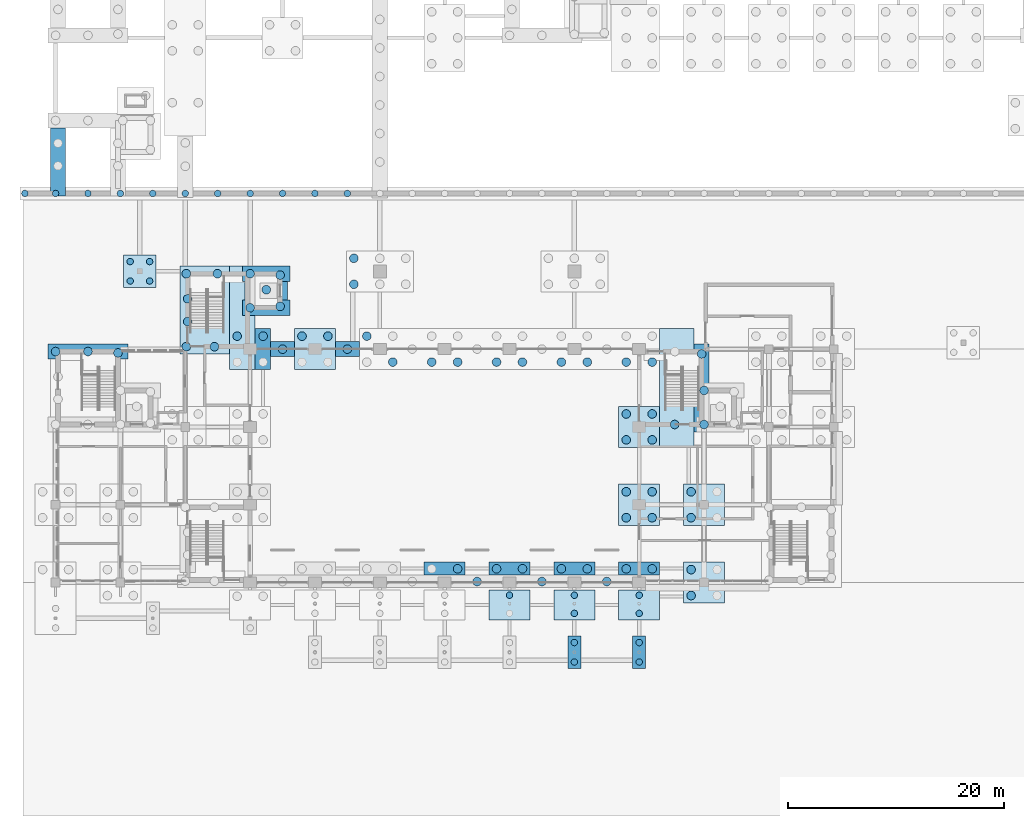
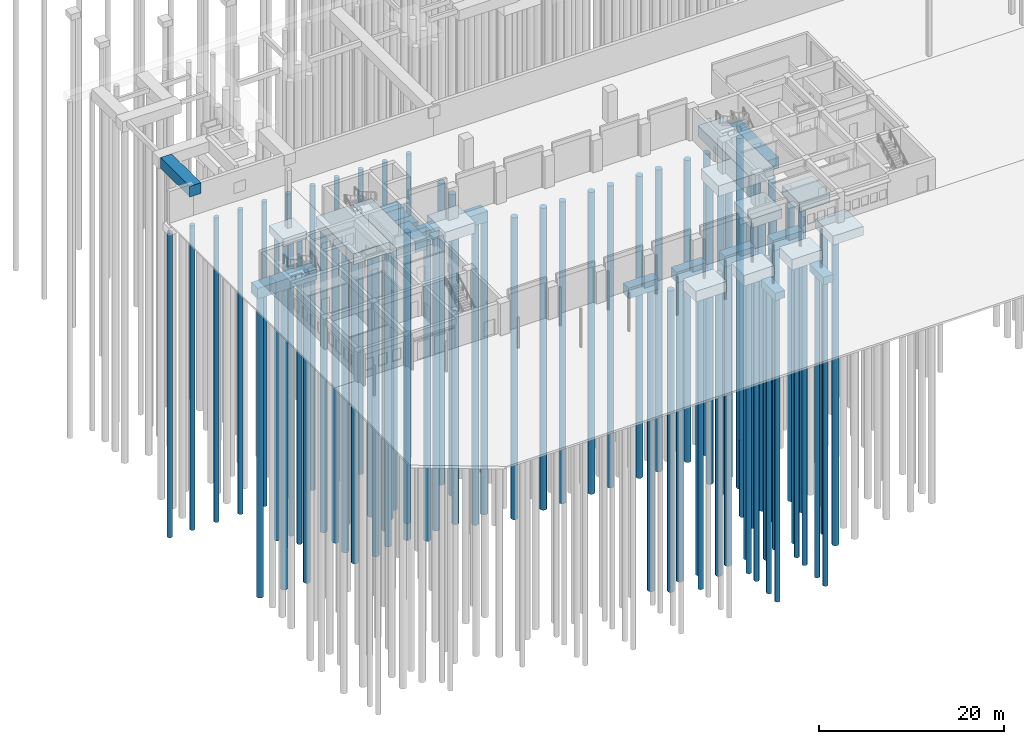
# One storey, part 2 of 37: 82 piles, 27 footings.
"""IFC4 building model written with IfcOpenShell, lengths in metres."""

from ifc_helpers import new_model, si_unit, direction, frame, origin, origin_2d, place, context, subcontext, project, spatial, polyline, circle, outline, extrude, material, layer, layer_set, material_profile, profile_set, type_object, element, save


model = new_model("IFC4")

# Units and contexts
model_context = context("Model", 3, precision=1e-05, world=origin(), true_north=direction((0.0, 1.0)))
body_context = subcontext(model_context, "Body", "Model", "MODEL_VIEW")
ifc_project = project(units=[si_unit("LENGTHUNIT", "METRE"), si_unit("AREAUNIT", "SQUARE_METRE"), si_unit("VOLUMEUNIT", "CUBIC_METRE"), si_unit("PLANEANGLEUNIT", "RADIAN"), si_unit("MASSUNIT", "GRAM", prefix="KILO")], contexts=[model_context])

# Site, building, storey
site_placement = place(None, origin())
site = spatial("IfcSite", under=ifc_project, at=site_placement, CompositionType="ELEMENT")
building_placement = place(site_placement, origin())
building = spatial("IfcBuilding", under=site, at=building_placement, Name="Laocheng Heights Fire and Rescue Headquarters", CompositionType="ELEMENT")
storey_placement = place(building_placement, origin())
storey = spatial("IfcBuildingStorey", under=building, at=storey_placement, Name="L00", CompositionType="ELEMENT", Elevation=0.0)

# Piles
ifc_material_1 = material(Name="Concrete C35", Category="concrete")
ifc_material_profile_1 = material_profile(ifc_material_1, circle(Radius=0.300048828125, at=origin_2d()), Name="BORED PILE D600")
ifc_profile_set_1 = profile_set([ifc_material_profile_1], Name="Concrete C35")
pile_type_1 = type_object("IfcPileType", Name="BORED PILE D600", PredefinedType="BORED", material=ifc_profile_set_1)
for number, where, z_axis, x_axis, name in (
    (1, (48.0, -7.35009765625, -1.37890625), (0.0, 0.0, -1.0), (1.0, 0.0, 0.0), "Bored pile D600"),
    (2, (48.0, -5.550048828125, -1.37890625), (0.0, 0.0, -1.0), (1.0, 0.0, 0.0), "Bored pile D600"),
    (3, (54.0, -7.35009765625, -1.37890625), (0.0, 0.0, -1.0), (1.0, 0.0, 0.0), "Bored pile D600"),
    (4, (54.0, -5.550048828125, -1.37890625), (0.0, 0.0, -1.0), (1.0, 0.0, 0.0), "Bored pile D600"),
):
    element("IfcPile", number, at=place(storey_placement, frame(where, z_axis=z_axis, x_axis=x_axis)), inside=storey, type_object=pile_type_1, Name=name, PredefinedType="BORED", context=body_context, shape_type="SweptSolid", body=[
        extrude(circle(Radius=0.300048828125, at=origin_2d()), origin(), (0.0, 0.0, 1.0), 40.12109375),
    ])
for number, where, z_axis, x_axis, name in (
    (5, (42.0, -1.169921875, -1.68896484375), (0.0, 0.0, -1.0), (1.0, 0.0, 0.0), "Bored pile D600"),
    (6, (48.0, -2.85009765625, -1.68896484375), (0.0, 0.0, -1.0), (1.0, 0.0, 0.0), "Bored pile D600"),
    (7, (48.0, -1.169921875, -1.68896484375), (0.0, 0.0, -1.0), (1.0, 0.0, 0.0), "Bored pile D600"),
    (8, (54.0, -2.85009765625, -1.68896484375), (0.0, 0.0, -1.0), (1.0, 0.0, 0.0), "Bored pile D600"),
    (9, (54.0, -1.169921875, -1.68896484375), (0.0, 0.0, -1.0), (1.0, 0.0, 0.0), "Bored pile D600"),
):
    element("IfcPile", number, at=place(storey_placement, frame(where, z_axis=z_axis, x_axis=x_axis)), inside=storey, type_object=pile_type_1, Name=name, PredefinedType="BORED", context=body_context, shape_type="SweptSolid", body=[
        extrude(circle(Radius=0.300048828125, at=origin_2d()), origin(), (0.0, 0.0, 1.0), 39.81103515625),
    ])
for number, where, z_axis, x_axis, name in (
    (10, (6.89990234375, 27.89990234375, -1.199951171875), (0.0, 0.0, -1.0), (1.0, 0.0, 0.0), "Bored pile D600"),
    (11, (8.699951171875, 27.89990234375, -1.199951171875), (0.0, 0.0, -1.0), (1.0, 0.0, 0.0), "Bored pile D600"),
    (12, (6.89990234375, 29.699951171875, -1.199951171875), (0.0, 0.0, -1.0), (1.0, 0.0, 0.0), "Bored pile D600"),
    (13, (8.699951171875, 29.699951171875, -1.199951171875), (0.0, 0.0, -1.0), (1.0, 0.0, 0.0), "Bored pile D600"),
):
    element("IfcPile", number, at=place(storey_placement, frame(where, z_axis=z_axis, x_axis=x_axis)), inside=storey, type_object=pile_type_1, Name=name, PredefinedType="BORED", context=body_context, shape_type="SweptSolid", body=[
        extrude(circle(Radius=0.300048828125, at=origin_2d()), origin(), (0.0, 0.0, 1.0), 40.300048828125),
    ])
for number, where, z_axis, x_axis, name in (
    (14, (-2.830078125, 36.0, -1.300048828125), (0.0, 0.0, -1.0), (1.0, 0.0, 0.0), "Bored pile D600"),
    (15, (0.0, 36.0, -1.300048828125), (0.0, 0.0, -1.0), (1.0, 0.0, 0.0), "Bored pile D600"),
    (16, (3.0, 36.0, -1.300048828125), (0.0, 0.0, -1.0), (1.0, 0.0, 0.0), "Bored pile D600"),
    (17, (6.0, 36.0, -1.300048828125), (0.0, 0.0, -1.0), (1.0, 0.0, 0.0), "Bored pile D600"),
    (18, (9.0, 36.0, -1.300048828125), (0.0, 0.0, -1.0), (1.0, 0.0, 0.0), "Bored pile D600"),
    (19, (12.0, 36.0, -1.300048828125), (0.0, 0.0, -1.0), (1.0, 0.0, 0.0), "Bored pile D600"),
    (20, (15.0, 36.0, -1.300048828125), (0.0, 0.0, -1.0), (1.0, 0.0, 0.0), "Bored pile D600"),
    (21, (18.0, 36.0, -1.300048828125), (0.0, 0.0, -1.0), (1.0, 0.0, 0.0), "Bored pile D600"),
    (22, (21.0, 36.0, -1.300048828125), (0.0, 0.0, -1.0), (1.0, 0.0, 0.0), "Bored pile D600"),
    (23, (24.0, 36.0, -1.300048828125), (0.0, 0.0, -1.0), (1.0, 0.0, 0.0), "Bored pile D600"),
    (24, (27.0, 36.0, -1.300048828125), (0.0, 0.0, -1.0), (1.0, 0.0, 0.0), "Bored pile D600"),
):
    element("IfcPile", number, at=place(storey_placement, frame(where, z_axis=z_axis, x_axis=x_axis)), inside=storey, type_object=pile_type_1, Name=name, PredefinedType="BORED", context=body_context, shape_type="SweptSolid", body=[
        extrude(circle(Radius=0.300048828125, at=origin_2d()), origin(), (0.0, 0.0, 1.0), 40.199951171875),
    ])
ifc_material_2 = material(Name="Concrete C35", Category="concrete")
ifc_material_profile_2 = material_profile(ifc_material_2, circle(Radius=0.39990234375, at=origin_2d()), Name="BORED PILE D800")
ifc_profile_set_2 = profile_set([ifc_material_profile_2], Name="Concrete C35")
pile_type_2 = type_object("IfcPileType", Name="BORED PILE D800", PredefinedType="BORED", material=ifc_profile_set_2)
for number, where, z_axis, x_axis, name in (
    (25, (58.800048828125, -1.199951171875, -1.449951171875), (0.0, 0.0, -1.0), (1.0, 0.0, 0.0), "Bored pile D800"),
    (26, (58.800048828125, 1.199951171875, -1.449951171875), (0.0, 0.0, -1.0), (1.0, 0.0, 0.0), "Bored pile D800"),
):
    element("IfcPile", number, at=place(storey_placement, frame(where, z_axis=z_axis, x_axis=x_axis)), inside=storey, type_object=pile_type_2, Name=name, PredefinedType="BORED", context=body_context, shape_type="SweptSolid", body=[
        extrude(circle(Radius=0.39990234375, at=origin_2d()), origin(), (0.0, 0.0, 1.0), 40.050048828125),
    ])
for number, where, z_axis, x_axis, name in (
    (27, (39.0, 0.094970703125, -1.68896484375), (0.0, 0.0, -1.0), (1.0, 0.0, 0.0), "Bored pile D800"),
    (28, (45.0, 0.094970703125, -1.68896484375), (0.0, 0.0, -1.0), (1.0, 0.0, 0.0), "Bored pile D800"),
    (29, (51.0, 0.094970703125, -1.68896484375), (0.0, 0.0, -1.0), (1.0, 0.0, 0.0), "Bored pile D800"),
    (30, (37.199951171875, 1.27001953125, -1.68896484375), (0.0, 0.0, -1.0), (1.0, 0.0, 0.0), "Bored pile D800"),
    (31, (40.800048828125, 1.27001953125, -1.68896484375), (0.0, 0.0, -1.0), (1.0, 0.0, 0.0), "Bored pile D800"),
    (32, (43.199951171875, 1.27001953125, -1.68896484375), (0.0, 0.0, -1.0), (1.0, 0.0, 0.0), "Bored pile D800"),
    (33, (46.800048828125, 1.27001953125, -1.68896484375), (0.0, 0.0, -1.0), (1.0, 0.0, 0.0), "Bored pile D800"),
    (34, (49.199951171875, 1.27001953125, -1.68896484375), (0.0, 0.0, -1.0), (1.0, 0.0, 0.0), "Bored pile D800"),
    (35, (52.800048828125, 1.27001953125, -1.68896484375), (0.0, 0.0, -1.0), (1.0, 0.0, 0.0), "Bored pile D800"),
    (36, (55.199951171875, 1.27001953125, -1.68896484375), (0.0, 0.0, -1.0), (1.0, 0.0, 0.0), "Bored pile D800"),
):
    element("IfcPile", number, at=place(storey_placement, frame(where, z_axis=z_axis, x_axis=x_axis)), inside=storey, type_object=pile_type_2, Name=name, PredefinedType="BORED", context=body_context, shape_type="SweptSolid", body=[
        extrude(circle(Radius=0.39990234375, at=origin_2d()), origin(), (0.0, 0.0, 1.0), 39.81103515625),
    ])
for number, where, z_axis, x_axis, name in (
    (37, (52.800048828125, 6.0, -1.449951171875), (0.0, 0.0, -1.0), (1.0, 0.0, 0.0), "Bored pile D800"),
    (38, (55.199951171875, 6.0, -1.449951171875), (0.0, 0.0, -1.0), (1.0, 0.0, 0.0), "Bored pile D800"),
    (39, (52.800048828125, 8.39990234375, -1.449951171875), (0.0, 0.0, -1.0), (1.0, 0.0, 0.0), "Bored pile D800"),
    (40, (55.199951171875, 8.39990234375, -1.449951171875), (0.0, 0.0, -1.0), (1.0, 0.0, 0.0), "Bored pile D800"),
    (41, (58.800048828125, 6.0, -1.449951171875), (0.0, 0.0, -1.0), (1.0, 0.0, 0.0), "Bored pile D800"),
    (42, (58.800048828125, 8.39990234375, -1.449951171875), (0.0, 0.0, -1.0), (1.0, 0.0, 0.0), "Bored pile D800"),
):
    element("IfcPile", number, at=place(storey_placement, frame(where, z_axis=z_axis, x_axis=x_axis)), inside=storey, type_object=pile_type_2, Name=name, PredefinedType="BORED", context=body_context, shape_type="SweptSolid", body=[
        extrude(circle(Radius=0.39990234375, at=origin_2d()), origin(), (0.0, 0.0, 1.0), 40.050048828125),
    ])
for number, where, z_axis, x_axis, name in (
    (43, (52.800048828125, 13.199951171875, -1.64990234375), (0.0, 0.0, -1.0), (1.0, 0.0, 0.0), "Bored pile D800"),
    (44, (55.199951171875, 13.199951171875, -1.64990234375), (0.0, 0.0, -1.0), (1.0, 0.0, 0.0), "Bored pile D800"),
    (45, (52.800048828125, 15.60009765625, -1.64990234375), (0.0, 0.0, -1.0), (1.0, 0.0, 0.0), "Bored pile D800"),
    (46, (55.199951171875, 15.60009765625, -1.64990234375), (0.0, 0.0, -1.0), (1.0, 0.0, 0.0), "Bored pile D800"),
):
    element("IfcPile", number, at=place(storey_placement, frame(where, z_axis=z_axis, x_axis=x_axis)), inside=storey, type_object=pile_type_2, Name=name, PredefinedType="BORED", context=body_context, shape_type="SweptSolid", body=[
        extrude(circle(Radius=0.39990234375, at=origin_2d()), origin(), (0.0, 0.0, 1.0), 39.85009765625),
    ])
for number, where, z_axis, x_axis, name in (
    (47, (60.0, 14.625, -3.10009765625), (0.0, 0.0, -1.0), (1.0, 0.0, 0.0), "Bored pile D800"),
    (48, (60.0, 17.77490234375, -3.10009765625), (0.0, 0.0, -1.0), (1.0, 0.0, 0.0), "Bored pile D800"),
):
    element("IfcPile", number, at=place(storey_placement, frame(where, z_axis=z_axis, x_axis=x_axis)), inside=storey, type_object=pile_type_2, Name=name, PredefinedType="BORED", context=body_context, shape_type="SweptSolid", body=[
        extrude(circle(Radius=0.39990234375, at=origin_2d()), origin(), (0.0, 0.0, 1.0), 38.39990234375),
    ])
for number, where, z_axis, x_axis, name in (
    (49, (57.27490234375, 14.625, -1.64990234375), (0.0, 0.0, -1.0), (1.0, 0.0, 0.0), "Bored pile D800"),
    (50, (59.77490234375, 21.14990234375, -1.64990234375), (0.0, 0.0, -1.0), (1.0, 0.0, 0.0), "Bored pile D800"),
    (51, (5.77490234375, 21.2451171875, -1.64990234375), (0.0, 0.0, -1.0), (1.0, 0.0, 0.0), "Bored pile D800"),
    (52, (0.0, 21.375, -1.64990234375), (0.0, 0.0, -1.0), (1.0, 0.0, 0.0), "Bored pile D800"),
    (53, (3.0, 21.375, -1.64990234375), (0.0, 0.0, -1.0), (1.0, 0.0, 0.0), "Bored pile D800"),
    (54, (19.199951171875, 22.800048828125, -1.64990234375), (0.0, 0.0, -1.0), (1.0, 0.0, 0.0), "Bored pile D800"),
    (55, (21.0, 21.60009765625, -1.64990234375), (0.0, 0.0, -1.0), (1.0, 0.0, 0.0), "Bored pile D800"),
    (56, (22.800048828125, 22.800048828125, -1.64990234375), (0.0, 0.0, -1.0), (1.0, 0.0, 0.0), "Bored pile D800"),
    (57, (25.199951171875, 22.800048828125, -1.64990234375), (0.0, 0.0, -1.0), (1.0, 0.0, 0.0), "Bored pile D800"),
    (58, (27.0, 21.60009765625, -1.64990234375), (0.0, 0.0, -1.0), (1.0, 0.0, 0.0), "Bored pile D800"),
    (59, (31.199951171875, 20.39990234375, -1.64990234375), (0.0, 0.0, -1.0), (1.0, 0.0, 0.0), "Bored pile D800"),
    (60, (28.800048828125, 22.800048828125, -1.64990234375), (0.0, 0.0, -1.0), (1.0, 0.0, 0.0), "Bored pile D800"),
    (61, (34.800048828125, 20.39990234375, -1.64990234375), (0.0, 0.0, -1.0), (1.0, 0.0, 0.0), "Bored pile D800"),
    (62, (37.199951171875, 20.39990234375, -1.64990234375), (0.0, 0.0, -1.0), (1.0, 0.0, 0.0), "Bored pile D800"),
    (63, (40.800048828125, 20.39990234375, -1.64990234375), (0.0, 0.0, -1.0), (1.0, 0.0, 0.0), "Bored pile D800"),
    (64, (43.199951171875, 20.39990234375, -1.64990234375), (0.0, 0.0, -1.0), (1.0, 0.0, 0.0), "Bored pile D800"),
    (65, (46.800048828125, 20.39990234375, -1.64990234375), (0.0, 0.0, -1.0), (1.0, 0.0, 0.0), "Bored pile D800"),
    (66, (49.199951171875, 20.39990234375, -1.64990234375), (0.0, 0.0, -1.0), (1.0, 0.0, 0.0), "Bored pile D800"),
    (67, (52.800048828125, 20.39990234375, -1.64990234375), (0.0, 0.0, -1.0), (1.0, 0.0, 0.0), "Bored pile D800"),
    (68, (55.199951171875, 20.39990234375, -1.64990234375), (0.0, 0.0, -1.0), (1.0, 0.0, 0.0), "Bored pile D800"),
    (69, (16.800048828125, 22.800048828125, -1.64990234375), (0.0, 0.0, -1.0), (1.0, 0.0, 0.0), "Bored pile D800"),
    (70, (12.094970703125, 28.574951171875, -1.64990234375), (0.0, 0.0, -1.0), (1.0, 0.0, 0.0), "Bored pile D800"),
    (71, (14.97509765625, 28.574951171875, -1.64990234375), (0.0, 0.0, -1.0), (1.0, 0.0, 0.0), "Bored pile D800"),
    (72, (12.094970703125, 21.824951171875, -1.64990234375), (0.0, 0.0, -1.0), (1.0, 0.0, 0.0), "Bored pile D800"),
    (73, (14.699951171875, 21.824951171875, -1.64990234375), (0.0, 0.0, -1.0), (1.0, 0.0, 0.0), "Bored pile D800"),
    (74, (12.22509765625, 24.14990234375, -1.64990234375), (0.0, 0.0, -1.0), (1.0, 0.0, 0.0), "Bored pile D800"),
    (75, (12.22509765625, 26.25, -1.64990234375), (0.0, 0.0, -1.0), (1.0, 0.0, 0.0), "Bored pile D800"),
):
    element("IfcPile", number, at=place(storey_placement, frame(where, z_axis=z_axis, x_axis=x_axis)), inside=storey, type_object=pile_type_2, Name=name, PredefinedType="BORED", context=body_context, shape_type="SweptSolid", body=[
        extrude(circle(Radius=0.39990234375, at=origin_2d()), origin(), (0.0, 0.0, 1.0), 39.85009765625),
    ])
for number, where, z_axis, x_axis, name in (
    (76, (20.77490234375, 25.554931640625, -3.10009765625), (0.0, 0.0, -1.0), (1.0, 0.0, 0.0), "Bored pile D800"),
    (77, (18.0, 25.425048828125, -3.10009765625), (0.0, 0.0, -1.0), (1.0, 0.0, 0.0), "Bored pile D800"),
    (78, (19.4951171875, 27.094970703125, -3.10009765625), (0.0, 0.0, -1.0), (1.0, 0.0, 0.0), "Bored pile D800"),
    (79, (20.77490234375, 28.445068359375, -3.10009765625), (0.0, 0.0, -1.0), (1.0, 0.0, 0.0), "Bored pile D800"),
    (80, (18.0, 28.574951171875, -3.10009765625), (0.0, 0.0, -1.0), (1.0, 0.0, 0.0), "Bored pile D800"),
):
    element("IfcPile", number, at=place(storey_placement, frame(where, z_axis=z_axis, x_axis=x_axis)), inside=storey, type_object=pile_type_2, Name=name, PredefinedType="BORED", context=body_context, shape_type="SweptSolid", body=[
        extrude(circle(Radius=0.39990234375, at=origin_2d()), origin(), (0.0, 0.0, 1.0), 38.39990234375),
    ])
for number, where, z_axis, x_axis, name in (
    (81, (27.60009765625, 27.60009765625, -1.699951171875), (0.0, 0.0, -1.0), (1.0, 0.0, 0.0), "Bored pile D800"),
    (82, (27.60009765625, 30.0, -1.699951171875), (0.0, 0.0, -1.0), (1.0, 0.0, 0.0), "Bored pile D800"),
):
    element("IfcPile", number, at=place(storey_placement, frame(where, z_axis=z_axis, x_axis=x_axis)), inside=storey, type_object=pile_type_2, Name=name, PredefinedType="BORED", context=body_context, shape_type="SweptSolid", body=[
        extrude(circle(Radius=0.39990234375, at=origin_2d()), origin(), (0.0, 0.0, 1.0), 39.800048828125),
    ])

# Footings
ifc_material_3 = material(Name="Concrete C40", Category="concrete")
ifc_layer_1 = layer(ifc_material_3, 1.0)
ifc_layer_set_1 = layer_set([ifc_layer_1], Name="Concrete C40")
footing_type_1 = type_object("IfcFootingType", Name="RC PILE CAP 1200x3000x1000 ON 2 D600 PILES", PredefinedType="PILE_CAP", material=ifc_layer_set_1)
footing_1_placement = place(storey_placement, frame((0.0, 0.0, -1.37890625)))
element("IfcFooting", 83, at=footing_1_placement, inside=storey, type_object=footing_type_1, Name="Pile cap", PredefinedType="PILE_CAP", context=body_context, shape_type="SweptSolid", body=[
    extrude(outline(polyline([(48.60009765625, -7.949951171875), (48.60009765625, -4.949951171875), (47.39990234375, -4.949951171875), (47.39990234375, -7.949951171875), (48.60009765625, -7.949951171875)])), origin(), (0.0, 0.0, 1.0), 1.0),
])
footing_2_placement = place(storey_placement, frame((0.0, 0.0, -1.37890625)))
element("IfcFooting", 84, at=footing_2_placement, inside=storey, type_object=footing_type_1, Name="Pile cap", PredefinedType="PILE_CAP", context=body_context, shape_type="SweptSolid", body=[
    extrude(outline(polyline([(54.60009765625, -7.949951171875), (54.60009765625, -4.949951171875), (53.39990234375, -4.949951171875), (53.39990234375, -7.949951171875), (54.60009765625, -7.949951171875)])), origin(), (0.0, 0.0, 1.0), 1.0),
])
ifc_material_4 = material(Name="Concrete C40", Category="concrete")
ifc_layer_2 = layer(ifc_material_4, 1.39990234375)
ifc_layer_set_2 = layer_set([ifc_layer_2], Name="Concrete C40")
footing_type_2 = type_object("IfcFootingType", Name="RC PILE CAP 1400x6300x1400 ON 2 D800 PILES", PredefinedType="PILE_CAP", material=ifc_layer_set_2)
footing_3_placement = place(storey_placement, frame((0.0, 0.0, 2.60009765625)))
element("IfcFooting", 85, at=footing_3_placement, inside=storey, type_object=footing_type_2, Name="Pile cap", PredefinedType="PILE_CAP", context=body_context, shape_type="SweptSolid", body=[
    extrude(outline(polyline([(0.925048828125, 35.75), (0.925048828125, 42.050048828125), (-0.47509765625, 42.050048828125), (-0.47509765625, 35.75), (0.925048828125, 35.75)])), origin(), (0.0, 0.0, 1.0), 1.39990234375),
])
ifc_material_5 = material(Name="Concrete C40", Category="concrete")
ifc_layer_3 = layer(ifc_material_5, 1.39990234375)
ifc_layer_set_3 = layer_set([ifc_layer_3], Name="Concrete C40")
footing_type_3 = type_object("IfcFootingType", Name="RC PILE CAP 1400x8150x1400 ON 1 D800 PILES", PredefinedType="PILE_CAP", material=ifc_layer_set_3)
footing_4_placement = place(storey_placement, frame((0.0, 0.0, -1.64990234375)))
element("IfcFooting", 86, at=footing_4_placement, inside=storey, type_object=footing_type_3, Name="Pile cap", PredefinedType="PILE_CAP", context=body_context, shape_type="SweptSolid", body=[
    extrude(outline(polyline([(60.47509765625, 13.925048828125), (60.47509765625, 22.074951171875), (59.074951171875, 22.074951171875), (59.074951171875, 13.925048828125), (60.47509765625, 13.925048828125)])), origin(), (0.0, 0.0, 1.0), 1.39990234375),
])
ifc_material_6 = material(Name="Concrete C40", Category="concrete")
ifc_layer_4 = layer(ifc_material_6, 1.39990234375)
ifc_layer_set_4 = layer_set([ifc_layer_4], Name="Concrete C40")
footing_type_4 = type_object("IfcFootingType", Name="RC PILE CAP 1425x3800x1400 ON 2 D800 PILES", PredefinedType="PILE_CAP", material=ifc_layer_set_4)
footing_5_placement = place(storey_placement, frame((0.0, 0.0, -1.64990234375)))
element("IfcFooting", 87, at=footing_5_placement, inside=storey, type_object=footing_type_4, Name="Pile cap", PredefinedType="PILE_CAP", context=body_context, shape_type="SweptSolid", body=[
    extrude(outline(polyline([(19.89990234375, 19.699951171875), (19.89990234375, 23.5), (18.47509765625, 23.5), (18.47509765625, 19.699951171875), (19.89990234375, 19.699951171875)])), origin(), (0.0, 0.0, 1.0), 1.39990234375),
])
ifc_material_7 = material(Name="Concrete C40", Category="concrete")
ifc_layer_5 = layer(ifc_material_7, 1.39990234375)
ifc_layer_set_5 = layer_set([ifc_layer_5], Name="Concrete C40")
footing_type_5 = type_object("IfcFootingType", Name="RC PILE CAP 2200x1400x1400 ON 1 D800 PILES", PredefinedType="PILE_CAP", material=ifc_layer_set_5)
footing_6_placement = place(storey_placement, frame((0.0, 0.0, -1.64990234375)))
element("IfcFooting", 88, at=footing_6_placement, inside=storey, type_object=footing_type_5, Name="Pile cap", PredefinedType="PILE_CAP", context=body_context, shape_type="SweptSolid", body=[
    extrude(outline(polyline([(22.10009765625, 20.89990234375), (22.10009765625, 22.300048828125), (19.89990234375, 22.300048828125), (19.89990234375, 20.89990234375), (22.10009765625, 20.89990234375)])), origin(), (0.0, 0.0, 1.0), 1.39990234375),
])
footing_7_placement = place(storey_placement, frame((0.0, 0.0, -1.64990234375)))
element("IfcFooting", 89, at=footing_7_placement, inside=storey, type_object=footing_type_5, Name="Pile cap", PredefinedType="PILE_CAP", context=body_context, shape_type="SweptSolid", body=[
    extrude(outline(polyline([(28.10009765625, 20.89990234375), (28.10009765625, 22.300048828125), (25.89990234375, 22.300048828125), (25.89990234375, 20.89990234375), (28.10009765625, 20.89990234375)])), origin(), (0.0, 0.0, 1.0), 1.39990234375),
])
ifc_material_8 = material(Name="Concrete C40", Category="concrete")
ifc_layer_6 = layer(ifc_material_8, 1.39990234375)
ifc_layer_set_6 = layer_set([ifc_layer_6], Name="Concrete C40")
footing_type_6 = type_object("IfcFootingType", Name="RC PILE CAP 2375x9575x1400 ON 2 D800 PILES", PredefinedType="PILE_CAP", material=ifc_layer_set_6)
footing_8_placement = place(storey_placement, frame((0.0, 0.0, -1.64990234375)))
element("IfcFooting", 90, at=footing_8_placement, inside=storey, type_object=footing_type_6, Name="Pile cap", PredefinedType="PILE_CAP", context=body_context, shape_type="SweptSolid", body=[
    extrude(outline(polyline([(18.47509765625, 19.699951171875), (18.47509765625, 29.27490234375), (16.10009765625, 29.27490234375), (16.10009765625, 19.699951171875), (18.47509765625, 19.699951171875)])), origin(), (0.0, 0.0, 1.0), 1.39990234375),
])
ifc_material_9 = material(Name="Concrete C40", Category="concrete")
ifc_layer_7 = layer(ifc_material_9, 1.0)
ifc_layer_set_7 = layer_set([ifc_layer_7], Name="Concrete C40")
footing_type_7 = type_object("IfcFootingType", Name="RC PILE CAP 3000x3000x1000 ON 4 D600 PILES", PredefinedType="PILE_CAP", material=ifc_layer_set_7)
footing_9_placement = place(storey_placement, frame((0.0, 0.0, -1.199951171875)))
element("IfcFooting", 91, at=footing_9_placement, inside=storey, type_object=footing_type_7, Name="Pile cap", PredefinedType="PILE_CAP", context=body_context, shape_type="SweptSolid", body=[
    extrude(outline(polyline([(9.300048828125, 27.300048828125), (9.300048828125, 30.300048828125), (6.300048828125, 30.300048828125), (6.300048828125, 27.300048828125), (9.300048828125, 27.300048828125)])), origin(), (0.0, 0.0, 1.0), 1.0),
])
ifc_material_10 = material(Name="Concrete C40", Category="concrete")
ifc_layer_8 = layer(ifc_material_10, 1.39990234375)
ifc_layer_set_8 = layer_set([ifc_layer_8], Name="Concrete C40")
footing_type_8 = type_object("IfcFootingType", Name="RC PILE CAP 3175x11000x1400 ON 2 D800 PILES", PredefinedType="PILE_CAP", material=ifc_layer_set_8)
footing_10_placement = place(storey_placement, frame((0.0, 0.0, -1.64990234375)))
element("IfcFooting", 92, at=footing_10_placement, inside=storey, type_object=footing_type_8, Name="Pile cap", PredefinedType="PILE_CAP", context=body_context, shape_type="SweptSolid", body=[
    extrude(outline(polyline([(59.074951171875, 12.5), (59.074951171875, 23.5), (55.89990234375, 23.5), (55.89990234375, 12.5), (59.074951171875, 12.5)])), origin(), (0.0, 0.0, 1.0), 1.39990234375),
])
ifc_material_11 = material(Name="Concrete C40", Category="concrete")
ifc_layer_9 = layer(ifc_material_11, 1.39990234375)
ifc_layer_set_9 = layer_set([ifc_layer_9], Name="Concrete C40")
footing_type_9 = type_object("IfcFootingType", Name="RC PILE CAP 3800x1200x1400 ON 2 D800 PILES", PredefinedType="PILE_CAP", material=ifc_layer_set_9)
footing_11_placement = place(storey_placement, frame((0.0, 0.0, -1.68896484375)))
element("IfcFooting", 93, at=footing_11_placement, inside=storey, type_object=footing_type_9, Name="Pile cap", PredefinedType="PILE_CAP", context=body_context, shape_type="SweptSolid", body=[
    extrude(outline(polyline([(37.89990234375, 0.699951171875), (37.89990234375, 1.89990234375), (34.10009765625, 1.89990234375), (34.10009765625, 0.699951171875), (37.89990234375, 0.699951171875)])), origin(), (0.0, 0.0, 1.0), 1.39990234375),
])
footing_12_placement = place(storey_placement, frame((0.0, 0.0, -1.68896484375)))
element("IfcFooting", 94, at=footing_12_placement, inside=storey, type_object=footing_type_9, Name="Pile cap", PredefinedType="PILE_CAP", context=body_context, shape_type="SweptSolid", body=[
    extrude(outline(polyline([(43.89990234375, 0.699951171875), (43.89990234375, 1.89990234375), (40.10009765625, 1.89990234375), (40.10009765625, 0.699951171875), (43.89990234375, 0.699951171875)])), origin(), (0.0, 0.0, 1.0), 1.39990234375),
])
footing_13_placement = place(storey_placement, frame((0.0, 0.0, -1.68896484375)))
element("IfcFooting", 95, at=footing_13_placement, inside=storey, type_object=footing_type_9, Name="Pile cap", PredefinedType="PILE_CAP", context=body_context, shape_type="SweptSolid", body=[
    extrude(outline(polyline([(49.89990234375, 0.699951171875), (49.89990234375, 1.89990234375), (46.10009765625, 1.89990234375), (46.10009765625, 0.699951171875), (49.89990234375, 0.699951171875)])), origin(), (0.0, 0.0, 1.0), 1.39990234375),
])
footing_14_placement = place(storey_placement, frame((0.0, 0.0, -1.68896484375)))
element("IfcFooting", 96, at=footing_14_placement, inside=storey, type_object=footing_type_9, Name="Pile cap", PredefinedType="PILE_CAP", context=body_context, shape_type="SweptSolid", body=[
    extrude(outline(polyline([(55.89990234375, 0.699951171875), (55.89990234375, 1.89990234375), (52.10009765625, 1.89990234375), (52.10009765625, 0.699951171875), (55.89990234375, 0.699951171875)])), origin(), (0.0, 0.0, 1.0), 1.39990234375),
])
ifc_material_12 = material(Name="Concrete C40", Category="concrete")
ifc_layer_10 = layer(ifc_material_12, 1.39990234375)
ifc_layer_set_10 = layer_set([ifc_layer_10], Name="Concrete C40")
footing_type_10 = type_object("IfcFootingType", Name="RC PILE CAP 3800x2750x1400 ON 2 D600 PILES", PredefinedType="PILE_CAP", material=ifc_layer_set_10)
footing_15_placement = place(storey_placement, frame((0.0, 0.0, -1.68896484375)))
element("IfcFooting", 97, at=footing_15_placement, inside=storey, type_object=footing_type_10, Name="Pile cap", PredefinedType="PILE_CAP", context=body_context, shape_type="SweptSolid", body=[
    extrude(outline(polyline([(43.89990234375, -3.449951171875), (43.89990234375, -0.699951171875), (40.10009765625, -0.699951171875), (40.10009765625, -3.449951171875), (43.89990234375, -3.449951171875)])), origin(), (0.0, 0.0, 1.0), 1.39990234375),
])
footing_16_placement = place(storey_placement, frame((0.0, 0.0, -1.68896484375)))
element("IfcFooting", 98, at=footing_16_placement, inside=storey, type_object=footing_type_10, Name="Pile cap", PredefinedType="PILE_CAP", context=body_context, shape_type="SweptSolid", body=[
    extrude(outline(polyline([(49.89990234375, -3.449951171875), (49.89990234375, -0.699951171875), (46.10009765625, -0.699951171875), (46.10009765625, -3.449951171875), (49.89990234375, -3.449951171875)])), origin(), (0.0, 0.0, 1.0), 1.39990234375),
])
footing_17_placement = place(storey_placement, frame((0.0, 0.0, -1.68896484375)))
element("IfcFooting", 99, at=footing_17_placement, inside=storey, type_object=footing_type_10, Name="Pile cap", PredefinedType="PILE_CAP", context=body_context, shape_type="SweptSolid", body=[
    extrude(outline(polyline([(55.89990234375, -3.449951171875), (55.89990234375, -0.699951171875), (52.10009765625, -0.699951171875), (52.10009765625, -3.449951171875), (55.89990234375, -3.449951171875)])), origin(), (0.0, 0.0, 1.0), 1.39990234375),
])
ifc_material_13 = material(Name="Concrete C40", Category="concrete")
ifc_layer_11 = layer(ifc_material_13, 1.199951171875)
ifc_layer_set_11 = layer_set([ifc_layer_11], Name="Concrete C40")
footing_type_11 = type_object("IfcFootingType", Name="RC PILE CAP 3800x3800x1200 ON 4 D800 PILES", PredefinedType="PILE_CAP", material=ifc_layer_set_11)
footing_18_placement = place(storey_placement, frame((0.0, 0.0, -1.449951171875)))
element("IfcFooting", 100, at=footing_18_placement, inside=storey, type_object=footing_type_11, Name="Pile cap", PredefinedType="PILE_CAP", context=body_context, shape_type="SweptSolid", body=[
    extrude(outline(polyline([(61.89990234375, -1.89990234375), (61.89990234375, 1.89990234375), (58.10009765625, 1.89990234375), (58.10009765625, -1.89990234375), (61.89990234375, -1.89990234375)])), origin(), (0.0, 0.0, 1.0), 1.199951171875),
])
footing_19_placement = place(storey_placement, frame((0.0, 0.0, -1.449951171875)))
element("IfcFooting", 101, at=footing_19_placement, inside=storey, type_object=footing_type_11, Name="Pile cap", PredefinedType="PILE_CAP", context=body_context, shape_type="SweptSolid", body=[
    extrude(outline(polyline([(55.89990234375, 5.300048828125), (55.89990234375, 9.10009765625), (52.10009765625, 9.10009765625), (52.10009765625, 5.300048828125), (55.89990234375, 5.300048828125)])), origin(), (0.0, 0.0, 1.0), 1.199951171875),
])
footing_20_placement = place(storey_placement, frame((0.0, 0.0, -1.449951171875)))
element("IfcFooting", 102, at=footing_20_placement, inside=storey, type_object=footing_type_11, Name="Pile cap", PredefinedType="PILE_CAP", context=body_context, shape_type="SweptSolid", body=[
    extrude(outline(polyline([(61.89990234375, 5.300048828125), (61.89990234375, 9.10009765625), (58.10009765625, 9.10009765625), (58.10009765625, 5.300048828125), (61.89990234375, 5.300048828125)])), origin(), (0.0, 0.0, 1.0), 1.199951171875),
])
ifc_material_14 = material(Name="Concrete C40", Category="concrete")
ifc_layer_12 = layer(ifc_material_14, 1.39990234375)
ifc_layer_set_12 = layer_set([ifc_layer_12], Name="Concrete C40")
footing_type_12 = type_object("IfcFootingType", Name="RC PILE CAP 3800x3800x1400 ON 4 D800 PILES", PredefinedType="PILE_CAP", material=ifc_layer_set_12)
footing_21_placement = place(storey_placement, frame((0.0, 0.0, -1.64990234375)))
element("IfcFooting", 103, at=footing_21_placement, inside=storey, type_object=footing_type_12, Name="Pile cap", PredefinedType="PILE_CAP", context=body_context, shape_type="SweptSolid", body=[
    extrude(outline(polyline([(55.89990234375, 12.5), (55.89990234375, 16.300048828125), (52.10009765625, 16.300048828125), (52.10009765625, 12.5), (55.89990234375, 12.5)])), origin(), (0.0, 0.0, 1.0), 1.39990234375),
])
footing_22_placement = place(storey_placement, frame((0.0, 0.0, -1.64990234375)))
element("IfcFooting", 104, at=footing_22_placement, inside=storey, type_object=footing_type_12, Name="Pile cap", PredefinedType="PILE_CAP", context=body_context, shape_type="SweptSolid", body=[
    extrude(outline(polyline([(25.89990234375, 19.699951171875), (25.89990234375, 23.5), (22.10009765625, 23.5), (22.10009765625, 19.699951171875), (25.89990234375, 19.699951171875)])), origin(), (0.0, 0.0, 1.0), 1.39990234375),
])
ifc_material_15 = material(Name="Concrete C40", Category="concrete")
ifc_layer_13 = layer(ifc_material_15, 1.39990234375)
ifc_layer_set_13 = layer_set([ifc_layer_13], Name="Concrete C40")
footing_type_13 = type_object("IfcFootingType", Name="RC PILE CAP 3950x1750x1400 ON 1 D800 PILES", PredefinedType="PILE_CAP", material=ifc_layer_set_13)
footing_23_placement = place(storey_placement, frame((0.0, 0.0, -3.10009765625)))
element("IfcFooting", 105, at=footing_23_placement, inside=storey, type_object=footing_type_13, Name="Pile cap", PredefinedType="PILE_CAP", context=body_context, shape_type="SweptSolid", body=[
    extrude(outline(polyline([(21.47509765625, 26.125), (21.47509765625, 27.875), (17.52490234375, 27.875), (17.52490234375, 26.125), (21.47509765625, 26.125)])), origin(), (0.0, 0.0, 1.0), 1.400146484375),
])
ifc_material_16 = material(Name="Concrete C40", Category="concrete")
ifc_layer_14 = layer(ifc_material_16, 1.39990234375)
ifc_layer_set_14 = layer_set([ifc_layer_14], Name="Concrete C40")
footing_type_14 = type_object("IfcFootingType", Name="RC PILE CAP 4400x1400x1400 ON 2 D800 PILES", PredefinedType="PILE_CAP", material=ifc_layer_set_14)
footing_24_placement = place(storey_placement, frame((0.0, 0.0, -3.10009765625)))
element("IfcFooting", 106, at=footing_24_placement, inside=storey, type_object=footing_type_14, Name="Pile cap", PredefinedType="PILE_CAP", context=body_context, shape_type="SweptSolid", body=[
    extrude(outline(polyline([(21.699951171875, 24.72509765625), (21.699951171875, 26.125), (17.300048828125, 26.125), (17.300048828125, 24.72509765625), (21.699951171875, 24.72509765625)])), origin(), (0.0, 0.0, 1.0), 1.400146484375),
])
footing_25_placement = place(storey_placement, frame((0.0, 0.0, -3.10009765625)))
element("IfcFooting", 107, at=footing_25_placement, inside=storey, type_object=footing_type_14, Name="Pile cap", PredefinedType="PILE_CAP", context=body_context, shape_type="SweptSolid", body=[
    extrude(outline(polyline([(21.699951171875, 27.875), (21.699951171875, 29.27490234375), (17.300048828125, 29.27490234375), (17.300048828125, 27.875), (21.699951171875, 27.875)])), origin(), (0.0, 0.0, 1.0), 1.400146484375),
])
ifc_material_17 = material(Name="Concrete C40", Category="concrete")
ifc_layer_15 = layer(ifc_material_17, 1.39990234375)
ifc_layer_set_15 = layer_set([ifc_layer_15], Name="Concrete C40")
footing_type_15 = type_object("IfcFootingType", Name="RC PILE CAP 4575x8150x1400 ON 6 D800 PILES", PredefinedType="PILE_CAP", material=ifc_layer_set_15)
footing_26_placement = place(storey_placement, frame((0.0, 0.0, -1.64990234375)))
element("IfcFooting", 108, at=footing_26_placement, inside=storey, type_object=footing_type_15, Name="Pile cap", PredefinedType="PILE_CAP", context=body_context, shape_type="SweptSolid", body=[
    extrude(outline(polyline([(16.10009765625, 21.125), (16.10009765625, 29.27490234375), (11.52490234375, 29.27490234375), (11.52490234375, 21.125), (16.10009765625, 21.125)])), origin(), (0.0, 0.0, 1.0), 1.39990234375),
])
ifc_material_18 = material(Name="Concrete C40", Category="concrete")
ifc_layer_16 = layer(ifc_material_18, 1.39990234375)
ifc_layer_set_16 = layer_set([ifc_layer_16], Name="Concrete C40")
footing_type_16 = type_object("IfcFootingType", Name="RC PILE CAP 7400x1400x1400 ON 3 D800 PILES", PredefinedType="PILE_CAP", material=ifc_layer_set_16)
footing_27_placement = place(storey_placement, frame((0.0, 0.0, -1.64990234375)))
element("IfcFooting", 109, at=footing_27_placement, inside=storey, type_object=footing_type_16, Name="Pile cap", PredefinedType="PILE_CAP", context=body_context, shape_type="SweptSolid", body=[
    extrude(outline(polyline([(6.699951171875, 20.675048828125), (6.699951171875, 22.074951171875), (-0.699951171875, 22.074951171875), (-0.699951171875, 20.675048828125), (6.699951171875, 20.675048828125)])), origin(), (0.0, 0.0, 1.0), 1.39990234375),
])

save(model, "model.ifc")
